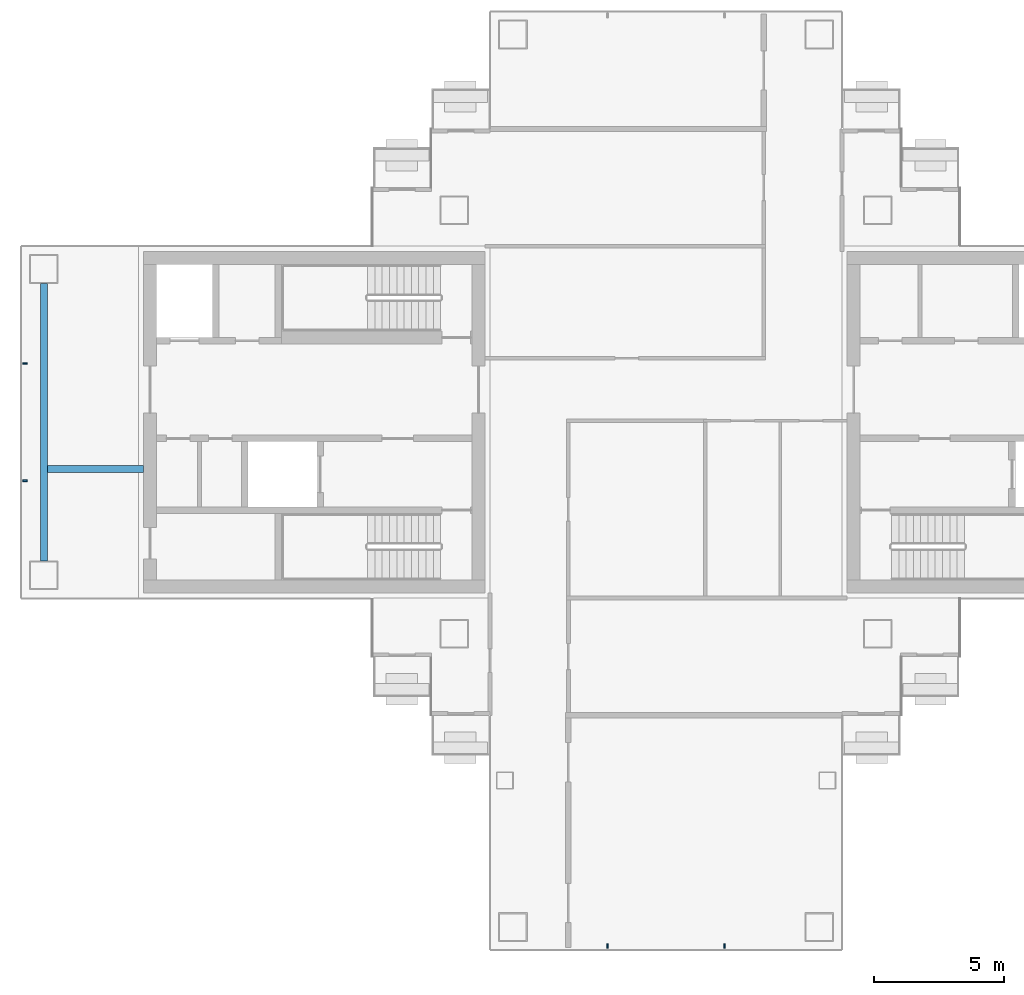
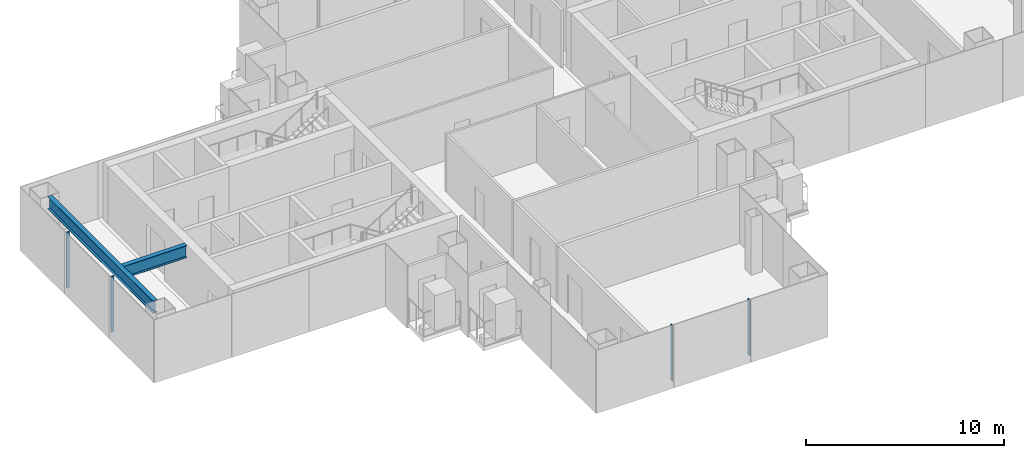
# One storey, part 3 of 16: 4 members, 2 beams, 2 elements without a shape of their own.
"""IFC4 building model written with IfcOpenShell, lengths in metres."""

import ifcopenshell
import ifcopenshell.guid

model = None  # the IFC model being written
_history = None  # IfcOwnerHistory: only IFC2X3 demands one
_inside = {}  # id of a spatial element -> (the spatial element, [elements in it])
_under = {}  # id of a project, library or spatial element -> (it, [spatial elements below it])
_declared = {}  # id of a project -> (the project, [libraries it declares])
_typed = {}  # id of a type object -> (the type object, [elements of that type])
_made_of = {}  # id of a material, layer set ... -> (it, [elements and type objects made of it])


def new_model(schema):
    """Start an empty IFC model of exactly this schema.

    Asked for "IFC4X3", IfcOpenShell would pick the latest addendum, in which some entities
    have other attributes; the version numbers below select the first issue.
    IFC2X3 requires an IfcOwnerHistory on every rooted entity: one is made here for all.
    """
    global model, _history
    if schema == "IFC4X3":
        model = ifcopenshell.file(schema_version=(4, 3, 0, 0))
    else:
        model = ifcopenshell.file(schema=schema)
    _inside.clear()
    _under.clear()
    _declared.clear()
    _typed.clear()
    _made_of.clear()
    _history = None
    if model.schema == "IFC2X3":
        org = make("IfcOrganization", Name="unknown")
        user = make(
            "IfcPersonAndOrganization",
            ThePerson=make("IfcPerson", FamilyName="unknown"),
            TheOrganization=org,
        )
        app = make(
            "IfcApplication",
            ApplicationDeveloper=org,
            Version="unknown",
            ApplicationFullName="unknown",
            ApplicationIdentifier="unknown",
        )
        _history = make(
            "IfcOwnerHistory",
            OwningUser=user,
            OwningApplication=app,
            ChangeAction="ADDED",
            CreationDate=0,
        )
    return model


def make(cls, **values):
    """One entity of the class cls with the attributes given. An attribute that is None is left unset."""
    return model.create_entity(
        cls, **{name: value for name, value in values.items() if value is not None}
    )


def rooted(cls, **values):
    """An entity with a GlobalId (a new one), such as an element, a storey or a relation."""
    return make(cls, GlobalId=ifcopenshell.guid.new(), OwnerHistory=_history, **values)


def si_unit(unit_type, name, prefix=None):
    """IfcSIUnit, for example si_unit("LENGTHUNIT", "METRE", prefix="MILLI")."""
    return make("IfcSIUnit", UnitType=unit_type, Prefix=prefix, Name=name)


def assignment(units):
    """IfcUnitAssignment: the units of a project."""
    return None if units is None else make("IfcUnitAssignment", Units=units)


def point(xyz):
    """IfcCartesianPoint."""
    return None if xyz is None else make("IfcCartesianPoint", Coordinates=xyz)


def direction(xyz):
    """IfcDirection."""
    return None if xyz is None else make("IfcDirection", DirectionRatios=xyz)


def frame(location, z_axis=None, x_axis=None):
    """IfcAxis2Placement3D, a coordinate frame: its origin and axes. An axis left out is left unset."""
    return make(
        "IfcAxis2Placement3D",
        Location=point(location),
        Axis=direction(z_axis),
        RefDirection=direction(x_axis),
    )


def frame_2d(location, x_axis=None):
    """IfcAxis2Placement2D, a coordinate frame in the plane: its origin and x axis."""
    return make(
        "IfcAxis2Placement2D", Location=point(location), RefDirection=direction(x_axis)
    )


def origin():
    """The frame at (0, 0, 0) with its axes left unset."""
    return frame((0.0, 0.0, 0.0))


def origin_2d():
    """The frame at (0, 0) in the plane with its x axis left unset."""
    return frame_2d((0.0, 0.0))


def place(relative_to, where):
    """IfcLocalPlacement: puts the frame where relative to a parent placement (None: the world)."""
    return make(
        "IfcLocalPlacement", PlacementRelTo=relative_to, RelativePlacement=where
    )


def context(
    kind, dimensions, precision=None, world=None, true_north=None, identifier=None
):
    """IfcGeometricRepresentationContext, for example the 3D "Model" context."""
    return make(
        "IfcGeometricRepresentationContext",
        ContextIdentifier=identifier,
        ContextType=kind,
        CoordinateSpaceDimension=dimensions,
        Precision=precision,
        WorldCoordinateSystem=world,
        TrueNorth=true_north,
    )


def subcontext(parent, identifier, kind, view, scale=None):
    """IfcGeometricRepresentationSubContext, for example "Body" below "Model"."""
    return make(
        "IfcGeometricRepresentationSubContext",
        ContextIdentifier=identifier,
        ContextType=kind,
        ParentContext=parent,
        TargetScale=scale,
        TargetView=view,
    )


def project(units=None, contexts=None):
    """IfcProject with its units and contexts."""
    return rooted(
        "IfcProject",
        Name="project",
        RepresentationContexts=contexts,
        UnitsInContext=assignment(units),
    )


def spatial(cls, under=None, at=None, **own):
    """A site, building, storey or space (cls), placed at a placement, below another one or the project."""
    s = rooted(cls, ObjectPlacement=at, **own)
    if under is not None:
        _under.setdefault(under.id(), (under, []))[1].append(s)
    return s


def profile(cls, at=None, kind="AREA", **sizes):
    """A parametric profile (cls). Its sizes go by their IFC names, for example OverallWidth=200.0."""
    return make(cls, ProfileType=kind, Position=at, **sizes)


def rectangle(**sizes):
    """IfcRectangleProfileDef."""
    return profile("IfcRectangleProfileDef", **sizes)


def i_section(**sizes):
    """IfcIShapeProfileDef."""
    return profile("IfcIShapeProfileDef", **sizes)


def extrude(swept, where, along, depth):
    """IfcExtrudedAreaSolid: the profile swept, set in the frame where, extruded along a direction by depth."""
    return make(
        "IfcExtrudedAreaSolid",
        SweptArea=swept,
        Position=where,
        ExtrudedDirection=direction(along),
        Depth=depth,
    )


def shape(context_of_items, identifier, shape_type, items):
    """IfcShapeRepresentation: the items that make up one representation, for example the "Body"."""
    return make(
        "IfcShapeRepresentation",
        ContextOfItems=context_of_items,
        RepresentationIdentifier=identifier,
        RepresentationType=shape_type,
        Items=items,
    )


def material(Name=None, Category=None):
    """IfcMaterial."""
    return make("IfcMaterial", Name=Name, Category=Category)


def layer(
    of_material, thickness, ventilated=None, Name=None, Category=None, Priority=None
):
    """IfcMaterialLayer: one layer of a wall or slab, of a material (None: an air gap)."""
    return make(
        "IfcMaterialLayer",
        Material=of_material,
        LayerThickness=thickness,
        IsVentilated=ventilated,
        Name=Name,
        Category=Category,
        Priority=Priority,
    )


def layer_set(layers, Name=None):
    """IfcMaterialLayerSet."""
    return make("IfcMaterialLayerSet", MaterialLayers=layers, LayerSetName=Name)


def material_profile(
    of_material, cross_section, Name=None, Category=None, Priority=None
):
    """IfcMaterialProfile: a cross section and its material."""
    return make(
        "IfcMaterialProfile",
        Name=Name,
        Material=of_material,
        Profile=cross_section,
        Priority=Priority,
        Category=Category,
    )


def profile_set(profiles, Name=None, composite=None):
    """IfcMaterialProfileSet."""
    return make(
        "IfcMaterialProfileSet",
        Name=Name,
        MaterialProfiles=profiles,
        CompositeProfile=composite,
    )


def made_of(thing, what):
    """Note that an element or type object is made of a material, layer set ...; save() writes the relation."""
    if what is not None:
        _made_of.setdefault(what.id(), (what, []))[1].append(thing)
    return thing


def type_object(cls, material=None, **own):
    """A type object (cls), such as IfcWallType, which elements share."""
    return made_of(rooted(cls, **own), material)


def element(
    cls,
    number,
    at=None,
    inside=None,
    cuts=None,
    type_object=None,
    material=None,
    context=None,
    identifier="Body",
    shape_type=None,
    held_by="IfcProductDefinitionShape",
    body=None,
    shapes=None,
    **own,
):
    """One element of the class cls, such as IfcWall. Its Tag is "e" and its number.

    at: its placement. inside: the storey or other place that contains it. cuts: it is an
    opening in that element (IfcRelVoidsElement). A single representation is given by context,
    identifier, shape_type and body (its items); several are given by shapes. held_by: the class
    of the entity that holds the representations. save() writes the other relations.
    """
    e = rooted(cls, Tag="e%d" % number, ObjectPlacement=at, **own)
    if body is not None:
        shapes = [shape(context, identifier, shape_type, body)]
    if shapes is not None:
        e.Representation = make(held_by, Representations=shapes)
    if inside is not None:
        _inside.setdefault(inside.id(), (inside, []))[1].append(e)
    if cuts is not None:
        rooted(
            "IfcRelVoidsElement", RelatingBuildingElement=cuts, RelatedOpeningElement=e
        )
    if type_object is not None:
        _typed.setdefault(type_object.id(), (type_object, []))[1].append(e)
    return made_of(e, material)


def aggregate(whole, parts):
    """IfcRelAggregates: a whole, such as a stair, and the parts it consists of."""
    return rooted("IfcRelAggregates", RelatingObject=whole, RelatedObjects=parts)


def save(model, path):
    """Write the relations noted so far, then the file.

    IfcRelAggregates (storeys below a building ...), IfcRelContainedInSpatialStructure (elements
    in a storey), IfcRelDefinesByType, IfcRelAssociatesMaterial and IfcRelDeclares: one each for
    every whole, place, type object, material and project.
    """
    for whole, parts in _under.values():
        aggregate(whole, parts)
    for where, things in _inside.values():
        rooted(
            "IfcRelContainedInSpatialStructure",
            RelatedElements=things,
            RelatingStructure=where,
        )
    for kind, things in _typed.values():
        rooted("IfcRelDefinesByType", RelatedObjects=things, RelatingType=kind)
    for what, things in _made_of.values():
        rooted("IfcRelAssociatesMaterial", RelatedObjects=things, RelatingMaterial=what)
    for by, libraries in _declared.values():
        rooted("IfcRelDeclares", RelatingContext=by, RelatedDefinitions=libraries)
    model.write(path)


model = new_model("IFC4")

# Units and contexts
model_context = context("Model", 3, precision=1e-05, world=origin(), true_north=direction((0.0, 1.0)))
body_context = subcontext(model_context, "Body", "Model", "MODEL_VIEW")
ifc_project = project(units=[si_unit("LENGTHUNIT", "METRE"), si_unit("AREAUNIT", "SQUARE_METRE"), si_unit("VOLUMEUNIT", "CUBIC_METRE"), si_unit("PLANEANGLEUNIT", "RADIAN"), si_unit("MASSUNIT", "GRAM", prefix="KILO")], contexts=[model_context])

# Site, building, storey
site_placement = place(None, origin())
site = spatial("IfcSite", under=ifc_project, at=site_placement, CompositionType="ELEMENT")
building_placement = place(site_placement, origin())
building = spatial("IfcBuilding", under=site, at=building_placement, Name="Shamsa Quay Exchange Towers", CompositionType="ELEMENT")
storey_placement = place(building_placement, frame((0.0, 0.0, 142.800048828125)))
storey = spatial("IfcBuildingStorey", under=building, at=storey_placement, Name="L33", CompositionType="ELEMENT", Elevation=142.800048828125)

# Curtain wall, members
ifc_material_1 = material(Name="Aluminium EN AW-6063 T6, black anodised", Category="aluminium")
ifc_layer = layer(ifc_material_1, 0.280029296875)
ifc_layer_set = layer_set([ifc_layer], Name="CW-1 UNITISED VISION GLASS")
curtain_wall_type = type_object("IfcCurtainWallType", Name="CW-1 UNITISED VISION GLASS", PredefinedType="NOTDEFINED", material=ifc_layer_set)
curtain_wall_1_placement = place(storey_placement, origin())
curtain_wall_1 = element("IfcCurtainWall", 1, at=curtain_wall_1_placement, inside=storey, type_object=curtain_wall_type, Name="CW1 T1-END-V- L33", PredefinedType="NOTDEFINED")
ifc_material_profile_1 = material_profile(ifc_material_1, rectangle(XDim=0.179931640625, YDim=0.06005859375, at=origin_2d()), Name="MU60x180")
ifc_profile_set_1 = profile_set([ifc_material_profile_1], Name="Aluminium EN AW-6063 T6, black anodised")
member_type = type_object("IfcMemberType", Name="CW1 MULLION 60x180", PredefinedType="MULLION", material=ifc_profile_set_1)
member_1_placement = place(storey_placement, frame((-36.0, -20.10009765625, 0.0), z_axis=(0.0, 0.0, 1.0), x_axis=(0.0, 1.0, 0.0)))
member_1 = element("IfcMember", 2, at=member_1_placement, type_object=member_type, Name="CW1 mullion", PredefinedType="MULLION", context=body_context, shape_type="SweptSolid", body=[
    extrude(rectangle(XDim=0.179931640625, YDim=0.06005859375, at=origin_2d()), origin(), (0.0, 0.0, 1.0), 3.449951171875),
])
member_2_placement = place(storey_placement, frame((-31.5, -20.10009765625, 0.0), z_axis=(0.0, 0.0, 1.0), x_axis=(0.0, 1.0, 0.0)))
member_2 = element("IfcMember", 3, at=member_2_placement, type_object=member_type, Name="CW1 mullion", PredefinedType="MULLION", context=body_context, shape_type="SweptSolid", body=[
    extrude(rectangle(XDim=0.179931640625, YDim=0.06005859375, at=origin_2d()), origin(), (0.0, 0.0, 1.0), 3.449951171875),
])
aggregate(curtain_wall_1, [member_1, member_2])

curtain_wall_2_placement = place(storey_placement, origin())
curtain_wall_2 = element("IfcCurtainWall", 4, at=curtain_wall_2_placement, inside=storey, type_object=curtain_wall_type, Name="CW1 T1-END-U- L33", PredefinedType="NOTDEFINED")
member_3_placement = place(storey_placement, frame((-58.35009765625, 2.25, 0.0)))
member_3 = element("IfcMember", 5, at=member_3_placement, type_object=member_type, Name="CW1 mullion", PredefinedType="MULLION", context=body_context, shape_type="SweptSolid", body=[
    extrude(rectangle(XDim=0.179931640625, YDim=0.06005859375, at=origin_2d()), origin(), (0.0, 0.0, 1.0), 3.449951171875),
])
member_4_placement = place(storey_placement, frame((-58.35009765625, -2.25, 0.0)))
member_4 = element("IfcMember", 6, at=member_4_placement, type_object=member_type, Name="CW1 mullion", PredefinedType="MULLION", context=body_context, shape_type="SweptSolid", body=[
    extrude(rectangle(XDim=0.179931640625, YDim=0.06005859375, at=origin_2d()), origin(), (0.0, 0.0, 1.0), 3.449951171875),
])
aggregate(curtain_wall_2, [member_3, member_4])

# Beams
ifc_material_2 = material(Name="Steel S355", Category="steel")
ifc_material_profile_2 = material_profile(ifc_material_2, i_section(OverallWidth=0.26611328125, OverallDepth=0.7578125, WebThickness=0.013916015625, FlangeThickness=0.019287109375, at=origin_2d()), Name="W30x108")
ifc_profile_set_2 = profile_set([ifc_material_profile_2], Name="Steel S355")
beam_type = type_object("IfcBeamType", Name="End-zone beam W30x108", PredefinedType="BEAM", material=ifc_profile_set_2)
beam_1_placement = place(storey_placement, frame((-57.625, -5.324951171875, 3.171142578125), z_axis=(0.0, 1.0, 0.0), x_axis=(-1.0, 0.0, 0.0)))
element("IfcBeam", 7, at=beam_1_placement, inside=storey, type_object=beam_type, Name="End beam T1 U- end zone L33", PredefinedType="BEAM", context=body_context, shape_type="SweptSolid", body=[
    extrude(i_section(OverallWidth=0.26611328125, OverallDepth=0.7578125, WebThickness=0.013916015625, FlangeThickness=0.019287109375, at=origin_2d()), origin(), (0.0, 0.0, 1.0), 10.64990234375),
])
beam_2_placement = place(storey_placement, frame((-53.800048828125, -1.800048828125, 3.171142578125), z_axis=(-1.0, 0.0, 0.0), x_axis=(0.0, -1.0, 0.0)))
element("IfcBeam", 8, at=beam_2_placement, inside=storey, type_object=beam_type, Name="Spine beam T1 U- end zone L33", PredefinedType="BEAM", context=body_context, shape_type="SweptSolid", body=[
    extrude(i_section(OverallWidth=0.26611328125, OverallDepth=0.7578125, WebThickness=0.013916015625, FlangeThickness=0.019287109375, at=origin_2d()), origin(), (0.0, 0.0, 1.0), 3.69189453125),
])

save(model, "model.ifc")
